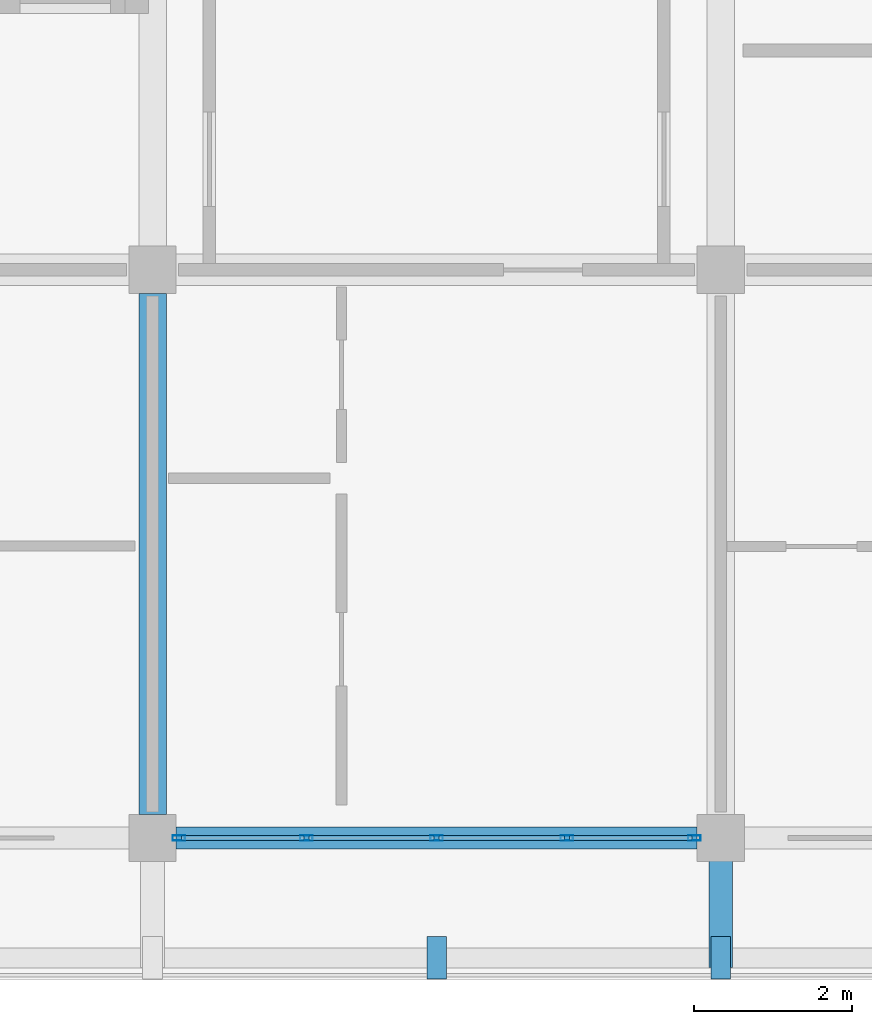
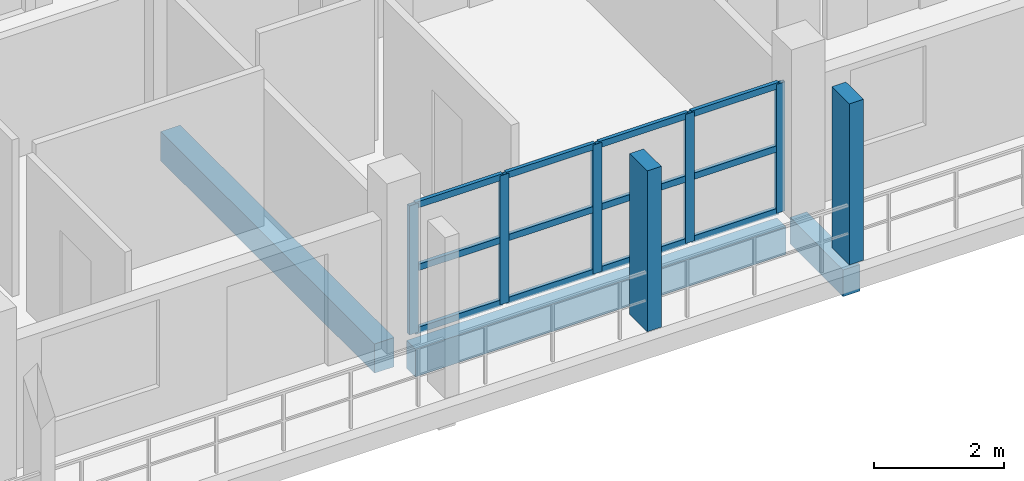
# One storey, part 25 of 78: 19 members, 3 beams, 1 element without a shape of its own.
"""IFC4 building model written with IfcOpenShell, lengths in metres."""

import ifcopenshell
import ifcopenshell.guid

model = None  # the IFC model being written
_history = None  # IfcOwnerHistory: only IFC2X3 demands one
_inside = {}  # id of a spatial element -> (the spatial element, [elements in it])
_under = {}  # id of a project, library or spatial element -> (it, [spatial elements below it])
_declared = {}  # id of a project -> (the project, [libraries it declares])
_typed = {}  # id of a type object -> (the type object, [elements of that type])
_made_of = {}  # id of a material, layer set ... -> (it, [elements and type objects made of it])


def new_model(schema):
    """Start an empty IFC model of exactly this schema.

    Asked for "IFC4X3", IfcOpenShell would pick the latest addendum, in which some entities
    have other attributes; the version numbers below select the first issue.
    IFC2X3 requires an IfcOwnerHistory on every rooted entity: one is made here for all.
    """
    global model, _history
    if schema == "IFC4X3":
        model = ifcopenshell.file(schema_version=(4, 3, 0, 0))
    else:
        model = ifcopenshell.file(schema=schema)
    _inside.clear()
    _under.clear()
    _declared.clear()
    _typed.clear()
    _made_of.clear()
    _history = None
    if model.schema == "IFC2X3":
        org = make("IfcOrganization", Name="unknown")
        user = make(
            "IfcPersonAndOrganization",
            ThePerson=make("IfcPerson", FamilyName="unknown"),
            TheOrganization=org,
        )
        app = make(
            "IfcApplication",
            ApplicationDeveloper=org,
            Version="unknown",
            ApplicationFullName="unknown",
            ApplicationIdentifier="unknown",
        )
        _history = make(
            "IfcOwnerHistory",
            OwningUser=user,
            OwningApplication=app,
            ChangeAction="ADDED",
            CreationDate=0,
        )
    return model


def make(cls, **values):
    """One entity of the class cls with the attributes given. An attribute that is None is left unset."""
    return model.create_entity(
        cls, **{name: value for name, value in values.items() if value is not None}
    )


def rooted(cls, **values):
    """An entity with a GlobalId (a new one), such as an element, a storey or a relation."""
    return make(cls, GlobalId=ifcopenshell.guid.new(), OwnerHistory=_history, **values)


def si_unit(unit_type, name, prefix=None):
    """IfcSIUnit, for example si_unit("LENGTHUNIT", "METRE", prefix="MILLI")."""
    return make("IfcSIUnit", UnitType=unit_type, Prefix=prefix, Name=name)


def assignment(units):
    """IfcUnitAssignment: the units of a project."""
    return None if units is None else make("IfcUnitAssignment", Units=units)


def point(xyz):
    """IfcCartesianPoint."""
    return None if xyz is None else make("IfcCartesianPoint", Coordinates=xyz)


def direction(xyz):
    """IfcDirection."""
    return None if xyz is None else make("IfcDirection", DirectionRatios=xyz)


def frame(location, z_axis=None, x_axis=None):
    """IfcAxis2Placement3D, a coordinate frame: its origin and axes. An axis left out is left unset."""
    return make(
        "IfcAxis2Placement3D",
        Location=point(location),
        Axis=direction(z_axis),
        RefDirection=direction(x_axis),
    )


def frame_2d(location, x_axis=None):
    """IfcAxis2Placement2D, a coordinate frame in the plane: its origin and x axis."""
    return make(
        "IfcAxis2Placement2D", Location=point(location), RefDirection=direction(x_axis)
    )


def origin():
    """The frame at (0, 0, 0) with its axes left unset."""
    return frame((0.0, 0.0, 0.0))


def origin_2d():
    """The frame at (0, 0) in the plane with its x axis left unset."""
    return frame_2d((0.0, 0.0))


def place(relative_to, where):
    """IfcLocalPlacement: puts the frame where relative to a parent placement (None: the world)."""
    return make(
        "IfcLocalPlacement", PlacementRelTo=relative_to, RelativePlacement=where
    )


def context(
    kind, dimensions, precision=None, world=None, true_north=None, identifier=None
):
    """IfcGeometricRepresentationContext, for example the 3D "Model" context."""
    return make(
        "IfcGeometricRepresentationContext",
        ContextIdentifier=identifier,
        ContextType=kind,
        CoordinateSpaceDimension=dimensions,
        Precision=precision,
        WorldCoordinateSystem=world,
        TrueNorth=true_north,
    )


def subcontext(parent, identifier, kind, view, scale=None):
    """IfcGeometricRepresentationSubContext, for example "Body" below "Model"."""
    return make(
        "IfcGeometricRepresentationSubContext",
        ContextIdentifier=identifier,
        ContextType=kind,
        ParentContext=parent,
        TargetScale=scale,
        TargetView=view,
    )


def project(units=None, contexts=None):
    """IfcProject with its units and contexts."""
    return rooted(
        "IfcProject",
        Name="project",
        RepresentationContexts=contexts,
        UnitsInContext=assignment(units),
    )


def spatial(cls, under=None, at=None, **own):
    """A site, building, storey or space (cls), placed at a placement, below another one or the project."""
    s = rooted(cls, ObjectPlacement=at, **own)
    if under is not None:
        _under.setdefault(under.id(), (under, []))[1].append(s)
    return s


def profile(cls, at=None, kind="AREA", **sizes):
    """A parametric profile (cls). Its sizes go by their IFC names, for example OverallWidth=200.0."""
    return make(cls, ProfileType=kind, Position=at, **sizes)


def rectangle(**sizes):
    """IfcRectangleProfileDef."""
    return profile("IfcRectangleProfileDef", **sizes)


def hollow_rectangle(**sizes):
    """IfcRectangleHollowProfileDef."""
    return profile("IfcRectangleHollowProfileDef", **sizes)


def extrude(swept, where, along, depth):
    """IfcExtrudedAreaSolid: the profile swept, set in the frame where, extruded along a direction by depth."""
    return make(
        "IfcExtrudedAreaSolid",
        SweptArea=swept,
        Position=where,
        ExtrudedDirection=direction(along),
        Depth=depth,
    )


def shape(context_of_items, identifier, shape_type, items):
    """IfcShapeRepresentation: the items that make up one representation, for example the "Body"."""
    return make(
        "IfcShapeRepresentation",
        ContextOfItems=context_of_items,
        RepresentationIdentifier=identifier,
        RepresentationType=shape_type,
        Items=items,
    )


def material(Name=None, Category=None):
    """IfcMaterial."""
    return make("IfcMaterial", Name=Name, Category=Category)


def material_profile(
    of_material, cross_section, Name=None, Category=None, Priority=None
):
    """IfcMaterialProfile: a cross section and its material."""
    return make(
        "IfcMaterialProfile",
        Name=Name,
        Material=of_material,
        Profile=cross_section,
        Priority=Priority,
        Category=Category,
    )


def profile_set(profiles, Name=None, composite=None):
    """IfcMaterialProfileSet."""
    return make(
        "IfcMaterialProfileSet",
        Name=Name,
        MaterialProfiles=profiles,
        CompositeProfile=composite,
    )


def made_of(thing, what):
    """Note that an element or type object is made of a material, layer set ...; save() writes the relation."""
    if what is not None:
        _made_of.setdefault(what.id(), (what, []))[1].append(thing)
    return thing


def type_object(cls, material=None, **own):
    """A type object (cls), such as IfcWallType, which elements share."""
    return made_of(rooted(cls, **own), material)


def element(
    cls,
    number,
    at=None,
    inside=None,
    cuts=None,
    type_object=None,
    material=None,
    context=None,
    identifier="Body",
    shape_type=None,
    held_by="IfcProductDefinitionShape",
    body=None,
    shapes=None,
    **own,
):
    """One element of the class cls, such as IfcWall. Its Tag is "e" and its number.

    at: its placement. inside: the storey or other place that contains it. cuts: it is an
    opening in that element (IfcRelVoidsElement). A single representation is given by context,
    identifier, shape_type and body (its items); several are given by shapes. held_by: the class
    of the entity that holds the representations. save() writes the other relations.
    """
    e = rooted(cls, Tag="e%d" % number, ObjectPlacement=at, **own)
    if body is not None:
        shapes = [shape(context, identifier, shape_type, body)]
    if shapes is not None:
        e.Representation = make(held_by, Representations=shapes)
    if inside is not None:
        _inside.setdefault(inside.id(), (inside, []))[1].append(e)
    if cuts is not None:
        rooted(
            "IfcRelVoidsElement", RelatingBuildingElement=cuts, RelatedOpeningElement=e
        )
    if type_object is not None:
        _typed.setdefault(type_object.id(), (type_object, []))[1].append(e)
    return made_of(e, material)


def aggregate(whole, parts):
    """IfcRelAggregates: a whole, such as a stair, and the parts it consists of."""
    return rooted("IfcRelAggregates", RelatingObject=whole, RelatedObjects=parts)


def save(model, path):
    """Write the relations noted so far, then the file.

    IfcRelAggregates (storeys below a building ...), IfcRelContainedInSpatialStructure (elements
    in a storey), IfcRelDefinesByType, IfcRelAssociatesMaterial and IfcRelDeclares: one each for
    every whole, place, type object, material and project.
    """
    for whole, parts in _under.values():
        aggregate(whole, parts)
    for where, things in _inside.values():
        rooted(
            "IfcRelContainedInSpatialStructure",
            RelatedElements=things,
            RelatingStructure=where,
        )
    for kind, things in _typed.values():
        rooted("IfcRelDefinesByType", RelatedObjects=things, RelatingType=kind)
    for what, things in _made_of.values():
        rooted("IfcRelAssociatesMaterial", RelatedObjects=things, RelatingMaterial=what)
    for by, libraries in _declared.values():
        rooted("IfcRelDeclares", RelatingContext=by, RelatedDefinitions=libraries)
    model.write(path)


model = new_model("IFC4")

# Units and contexts
model_context = context("Model", 3, precision=1e-05, world=origin(), true_north=direction((0.0, 1.0)))
body_context = subcontext(model_context, "Body", "Model", "MODEL_VIEW")
ifc_project = project(units=[si_unit("LENGTHUNIT", "METRE"), si_unit("AREAUNIT", "SQUARE_METRE"), si_unit("VOLUMEUNIT", "CUBIC_METRE"), si_unit("PLANEANGLEUNIT", "RADIAN"), si_unit("MASSUNIT", "GRAM", prefix="KILO")], contexts=[model_context])

# Site, building, storey
site_placement = place(None, origin())
site = spatial("IfcSite", under=ifc_project, at=site_placement, CompositionType="ELEMENT")
building_placement = place(site_placement, origin())
building = spatial("IfcBuilding", under=site, at=building_placement, Name="Suanplinth Sawtooth Commons", CompositionType="ELEMENT")
storey_placement = place(building_placement, frame((0.0, 0.0, 15.39990234375)))
storey = spatial("IfcBuildingStorey", under=building, at=storey_placement, Name="L04", CompositionType="ELEMENT", Elevation=15.39990234375)

# Beams
ifc_material_1 = material(Name="Precast concrete C40/50", Category="concrete")
ifc_material_profile_1 = material_profile(ifc_material_1, rectangle(XDim=0.35009765625, YDim=0.550048828125, at=origin_2d()), Name="PC-BM 350x550")
ifc_profile_set_1 = profile_set([ifc_material_profile_1], Name="Precast concrete C40/50")
beam_type_1 = type_object("IfcBeamType", Name="B-06", PredefinedType="BEAM", material=ifc_profile_set_1)
beam_1_placement = place(storey_placement, frame((144.0, 0.300048828125, -0.494873046875), z_axis=(0.0, 1.0, 0.0), x_axis=(-1.0, 0.0, 0.0)))
element("IfcBeam", 1, at=beam_1_placement, inside=storey, type_object=beam_type_1, Name="BMY-L04-C-20-0", PredefinedType="BEAM", context=body_context, shape_type="SweptSolid", body=[
    extrude(rectangle(XDim=0.35009765625, YDim=0.550048828125, at=origin_2d()), origin(), (0.0, 0.0, 1.0), 6.599853515625),
])
ifc_material_profile_2 = material_profile(ifc_material_1, rectangle(XDim=0.300048828125, YDim=0.5, at=origin_2d()), Name="PC-BM 300x500")
ifc_profile_set_2 = profile_set([ifc_material_profile_2], Name="Precast concrete C40/50")
beam_type_2 = type_object("IfcBeamType", Name="B-07", PredefinedType="BEAM", material=ifc_profile_set_2)
beam_2_placement = place(storey_placement, frame((151.199951171875, 0.0, -0.429931640625), z_axis=(0.0, -1.0, 0.0), x_axis=(1.0, 0.0, 0.0)))
element("IfcBeam", 2, at=beam_2_placement, inside=storey, type_object=beam_type_2, Name="Balcony Outrigger L04-C-S-21", PredefinedType="BEAM", context=body_context, shape_type="SweptSolid", body=[
    extrude(rectangle(XDim=0.300048828125, YDim=0.5, at=origin_2d()), origin(), (0.0, 0.0, 1.0), 1.639892578125),
])
ifc_material_profile_3 = material_profile(ifc_material_1, rectangle(XDim=0.280029296875, YDim=0.52001953125, at=origin_2d()), Name="PC-SP 280x520")
ifc_profile_set_3 = profile_set([ifc_material_profile_3], Name="Precast concrete C40/50")
beam_type_3 = type_object("IfcBeamType", Name="B-08", PredefinedType="SPANDREL", material=ifc_profile_set_3)
beam_3_placement = place(storey_placement, frame((144.300048828125, 0.0, -0.47998046875), z_axis=(1.0, 0.0, 0.0), x_axis=(0.0, 1.0, 0.0)))
element("IfcBeam", 3, at=beam_3_placement, inside=storey, type_object=beam_type_3, Name="BMX-L04-C-20-0", PredefinedType="SPANDREL", context=body_context, shape_type="SweptSolid", body=[
    extrude(rectangle(XDim=0.280029296875, YDim=0.52001953125, at=origin_2d()), origin(), (0.0, 0.0, 1.0), 6.599853515625),
])

# Members
ifc_material_2 = material(Name="Pigmented precast concrete C40/50", Category="concrete")
ifc_material_profile_4 = material_profile(ifc_material_2, rectangle(XDim=0.25, YDim=0.5400390625, at=origin_2d()), Name="PC-FIN 250x540")
ifc_profile_set_4 = profile_set([ifc_material_profile_4], Name="Pigmented precast concrete C40/50")
member_type_1 = type_object("IfcMemberType", Name="M-11", PredefinedType="USERDEFINED", material=ifc_profile_set_4)
for number, where, z_axis, x_axis, name in (
    (4, (147.60009765625, -1.52001953125, 0.0), (0.0, 0.0, 1.0), (1.0, 0.0, 0.0), "Upright Solar Blade L04-C-S-03"),
    (5, (151.199951171875, -1.52001953125, 0.0), (0.0, 0.0, 1.0), (1.0, 0.0, 0.0), "Upright Solar Blade L04-C-S-04"),
):
    element("IfcMember", number, at=place(storey_placement, frame(where, z_axis=z_axis, x_axis=x_axis)), inside=storey, type_object=member_type_1, Name=name, ObjectType="SHADING FIN", PredefinedType="USERDEFINED", context=body_context, shape_type="SweptSolid", body=[
        extrude(rectangle(XDim=0.25, YDim=0.5400390625, at=origin_2d()), origin(), (0.0, 0.0, 1.0), 3.030029296875),
    ])

# Curtain wall, members
ifc_material_3 = material(Name="Anodized aluminium and low-E glazing", Category="aluminium")
curtain_wall_type = type_object("IfcCurtainWallType", Name="CW-06", PredefinedType="USERDEFINED", material=ifc_material_3)
curtain_wall_placement = place(storey_placement, origin())
curtain_wall = element("IfcCurtainWall", 6, at=curtain_wall_placement, inside=storey, type_object=curtain_wall_type, Name="Curtain Wall CW-L04-C-LOUNGE-20", ObjectType="CURTAIN WALL", PredefinedType="USERDEFINED")
ifc_material_4 = material(Name="Anodized aluminium 6063-T6", Category="aluminium")
ifc_material_profile_5 = material_profile(ifc_material_4, hollow_rectangle(XDim=0.06494140625, YDim=0.159912109375, WallThickness=0.00390625, at=origin_2d()), Name="ALU-MUL 65x160")
ifc_profile_set_5 = profile_set([ifc_material_profile_5], Name="Anodized aluminium 6063-T6")
member_type_2 = type_object("IfcMemberType", Name="M-13", PredefinedType="MULLION", material=ifc_profile_set_5)
member_1_placement = place(storey_placement, frame((144.33251953125, 0.0, 0.0), z_axis=(0.0, 0.0, 1.0), x_axis=(0.0, 1.0, 0.0)))
member_1 = element("IfcMember", 7, at=member_1_placement, type_object=member_type_2, Name="CW-06 mullion 1", PredefinedType="MULLION", context=body_context, shape_type="SweptSolid", body=[
    extrude(hollow_rectangle(XDim=0.06494140625, YDim=0.159912109375, WallThickness=0.00390625, at=origin_2d()), origin(), (0.0, 0.0, 1.0), 2.43017578125),
])
member_2_placement = place(storey_placement, frame((145.949951171875, 0.0, 0.0), z_axis=(0.0, 0.0, 1.0), x_axis=(0.0, 1.0, 0.0)))
member_2 = element("IfcMember", 8, at=member_2_placement, type_object=member_type_2, Name="CW-06 mullion 2", PredefinedType="MULLION", context=body_context, shape_type="SweptSolid", body=[
    extrude(hollow_rectangle(XDim=0.06494140625, YDim=0.159912109375, WallThickness=0.00390625, at=origin_2d()), origin(), (0.0, 0.0, 1.0), 2.43017578125),
])
member_3_placement = place(storey_placement, frame((147.60009765625, 0.0, 0.0), z_axis=(0.0, 0.0, 1.0), x_axis=(0.0, 1.0, 0.0)))
member_3 = element("IfcMember", 9, at=member_3_placement, type_object=member_type_2, Name="CW-06 mullion 3", PredefinedType="MULLION", context=body_context, shape_type="SweptSolid", body=[
    extrude(hollow_rectangle(XDim=0.06494140625, YDim=0.159912109375, WallThickness=0.00390625, at=origin_2d()), origin(), (0.0, 0.0, 1.0), 2.43017578125),
])
member_4_placement = place(storey_placement, frame((149.25, 0.0, 0.0), z_axis=(0.0, 0.0, 1.0), x_axis=(0.0, 1.0, 0.0)))
member_4 = element("IfcMember", 10, at=member_4_placement, type_object=member_type_2, Name="CW-06 mullion 4", PredefinedType="MULLION", context=body_context, shape_type="SweptSolid", body=[
    extrude(hollow_rectangle(XDim=0.06494140625, YDim=0.159912109375, WallThickness=0.00390625, at=origin_2d()), origin(), (0.0, 0.0, 1.0), 2.43017578125),
])
member_5_placement = place(storey_placement, frame((150.867431640625, 0.0, 0.0), z_axis=(0.0, 0.0, 1.0), x_axis=(0.0, 1.0, 0.0)))
member_5 = element("IfcMember", 11, at=member_5_placement, type_object=member_type_2, Name="CW-06 mullion 5", PredefinedType="MULLION", context=body_context, shape_type="SweptSolid", body=[
    extrude(hollow_rectangle(XDim=0.06494140625, YDim=0.159912109375, WallThickness=0.00390625, at=origin_2d()), origin(), (0.0, 0.0, 1.0), 2.43017578125),
])
ifc_material_profile_6 = material_profile(ifc_material_4, hollow_rectangle(XDim=0.06494140625, YDim=0.1201171875, WallThickness=0.00390625, at=origin_2d()), Name="ALU-TRN 65x120")
ifc_profile_set_6 = profile_set([ifc_material_profile_6], Name="Anodized aluminium 6063-T6")
member_type_3 = type_object("IfcMemberType", Name="M-15", PredefinedType="USERDEFINED", material=ifc_profile_set_6)
member_6_placement = place(storey_placement, frame((144.364990234375, 0.0, 0.03271484375), z_axis=(1.0, 0.0, 0.0), x_axis=(0.0, 1.0, 0.0)))
member_6 = element("IfcMember", 12, at=member_6_placement, type_object=member_type_3, Name="CW-06 transom 1.1", ObjectType="TRANSOM", PredefinedType="USERDEFINED", context=body_context, shape_type="SweptSolid", body=[
    extrude(hollow_rectangle(XDim=0.06494140625, YDim=0.1201171875, WallThickness=0.00390625, at=origin_2d()), origin(), (0.0, 0.0, 1.0), 1.552490234375),
])
member_7_placement = place(storey_placement, frame((144.364990234375, 0.0, 1.215087890625), z_axis=(1.0, 0.0, 0.0), x_axis=(0.0, 1.0, 0.0)))
member_7 = element("IfcMember", 13, at=member_7_placement, type_object=member_type_3, Name="CW-06 transom 1.2", ObjectType="TRANSOM", PredefinedType="USERDEFINED", context=body_context, shape_type="SweptSolid", body=[
    extrude(hollow_rectangle(XDim=0.06494140625, YDim=0.1201171875, WallThickness=0.00390625, at=origin_2d()), origin(), (0.0, 0.0, 1.0), 1.552490234375),
])
member_8_placement = place(storey_placement, frame((144.364990234375, 0.0, 2.397705078125), z_axis=(1.0, 0.0, 0.0), x_axis=(0.0, 1.0, 0.0)))
member_8 = element("IfcMember", 14, at=member_8_placement, type_object=member_type_3, Name="CW-06 transom 1.3", ObjectType="TRANSOM", PredefinedType="USERDEFINED", context=body_context, shape_type="SweptSolid", body=[
    extrude(hollow_rectangle(XDim=0.06494140625, YDim=0.1201171875, WallThickness=0.00390625, at=origin_2d()), origin(), (0.0, 0.0, 1.0), 1.552490234375),
])
member_9_placement = place(storey_placement, frame((145.982421875, 0.0, 0.03271484375), z_axis=(1.0, 0.0, 0.0), x_axis=(0.0, 1.0, 0.0)))
member_9 = element("IfcMember", 15, at=member_9_placement, type_object=member_type_3, Name="CW-06 transom 2.1", ObjectType="TRANSOM", PredefinedType="USERDEFINED", context=body_context, shape_type="SweptSolid", body=[
    extrude(hollow_rectangle(XDim=0.06494140625, YDim=0.1201171875, WallThickness=0.00390625, at=origin_2d()), origin(), (0.0, 0.0, 1.0), 1.5849609375),
])
member_10_placement = place(storey_placement, frame((145.982421875, 0.0, 1.215087890625), z_axis=(1.0, 0.0, 0.0), x_axis=(0.0, 1.0, 0.0)))
member_10 = element("IfcMember", 16, at=member_10_placement, type_object=member_type_3, Name="CW-06 transom 2.2", ObjectType="TRANSOM", PredefinedType="USERDEFINED", context=body_context, shape_type="SweptSolid", body=[
    extrude(hollow_rectangle(XDim=0.06494140625, YDim=0.1201171875, WallThickness=0.00390625, at=origin_2d()), origin(), (0.0, 0.0, 1.0), 1.5849609375),
])
member_11_placement = place(storey_placement, frame((145.982421875, 0.0, 2.397705078125), z_axis=(1.0, 0.0, 0.0), x_axis=(0.0, 1.0, 0.0)))
member_11 = element("IfcMember", 17, at=member_11_placement, type_object=member_type_3, Name="CW-06 transom 2.3", ObjectType="TRANSOM", PredefinedType="USERDEFINED", context=body_context, shape_type="SweptSolid", body=[
    extrude(hollow_rectangle(XDim=0.06494140625, YDim=0.1201171875, WallThickness=0.00390625, at=origin_2d()), origin(), (0.0, 0.0, 1.0), 1.5849609375),
])
member_12_placement = place(storey_placement, frame((147.632568359375, 0.0, 0.03271484375), z_axis=(1.0, 0.0, 0.0), x_axis=(0.0, 1.0, 0.0)))
member_12 = element("IfcMember", 18, at=member_12_placement, type_object=member_type_3, Name="CW-06 transom 3.1", ObjectType="TRANSOM", PredefinedType="USERDEFINED", context=body_context, shape_type="SweptSolid", body=[
    extrude(hollow_rectangle(XDim=0.06494140625, YDim=0.1201171875, WallThickness=0.00390625, at=origin_2d()), origin(), (0.0, 0.0, 1.0), 1.5849609375),
])
member_13_placement = place(storey_placement, frame((147.632568359375, 0.0, 1.215087890625), z_axis=(1.0, 0.0, 0.0), x_axis=(0.0, 1.0, 0.0)))
member_13 = element("IfcMember", 19, at=member_13_placement, type_object=member_type_3, Name="CW-06 transom 3.2", ObjectType="TRANSOM", PredefinedType="USERDEFINED", context=body_context, shape_type="SweptSolid", body=[
    extrude(hollow_rectangle(XDim=0.06494140625, YDim=0.1201171875, WallThickness=0.00390625, at=origin_2d()), origin(), (0.0, 0.0, 1.0), 1.5849609375),
])
member_14_placement = place(storey_placement, frame((147.632568359375, 0.0, 2.397705078125), z_axis=(1.0, 0.0, 0.0), x_axis=(0.0, 1.0, 0.0)))
member_14 = element("IfcMember", 20, at=member_14_placement, type_object=member_type_3, Name="CW-06 transom 3.3", ObjectType="TRANSOM", PredefinedType="USERDEFINED", context=body_context, shape_type="SweptSolid", body=[
    extrude(hollow_rectangle(XDim=0.06494140625, YDim=0.1201171875, WallThickness=0.00390625, at=origin_2d()), origin(), (0.0, 0.0, 1.0), 1.5849609375),
])
member_15_placement = place(storey_placement, frame((149.282470703125, 0.0, 0.03271484375), z_axis=(1.0, 0.0, 0.0), x_axis=(0.0, 1.0, 0.0)))
member_15 = element("IfcMember", 21, at=member_15_placement, type_object=member_type_3, Name="CW-06 transom 4.1", ObjectType="TRANSOM", PredefinedType="USERDEFINED", context=body_context, shape_type="SweptSolid", body=[
    extrude(hollow_rectangle(XDim=0.06494140625, YDim=0.1201171875, WallThickness=0.00390625, at=origin_2d()), origin(), (0.0, 0.0, 1.0), 1.552490234375),
])
member_16_placement = place(storey_placement, frame((149.282470703125, 0.0, 1.215087890625), z_axis=(1.0, 0.0, 0.0), x_axis=(0.0, 1.0, 0.0)))
member_16 = element("IfcMember", 22, at=member_16_placement, type_object=member_type_3, Name="CW-06 transom 4.2", ObjectType="TRANSOM", PredefinedType="USERDEFINED", context=body_context, shape_type="SweptSolid", body=[
    extrude(hollow_rectangle(XDim=0.06494140625, YDim=0.1201171875, WallThickness=0.00390625, at=origin_2d()), origin(), (0.0, 0.0, 1.0), 1.552490234375),
])
member_17_placement = place(storey_placement, frame((149.282470703125, 0.0, 2.397705078125), z_axis=(1.0, 0.0, 0.0), x_axis=(0.0, 1.0, 0.0)))
member_17 = element("IfcMember", 23, at=member_17_placement, type_object=member_type_3, Name="CW-06 transom 4.3", ObjectType="TRANSOM", PredefinedType="USERDEFINED", context=body_context, shape_type="SweptSolid", body=[
    extrude(hollow_rectangle(XDim=0.06494140625, YDim=0.1201171875, WallThickness=0.00390625, at=origin_2d()), origin(), (0.0, 0.0, 1.0), 1.552490234375),
])
aggregate(curtain_wall, [member_1, member_2, member_3, member_4, member_5, member_6, member_7, member_8, member_9, member_10, member_11, member_12, member_13, member_14, member_15, member_16, member_17])

save(model, "model.ifc")
